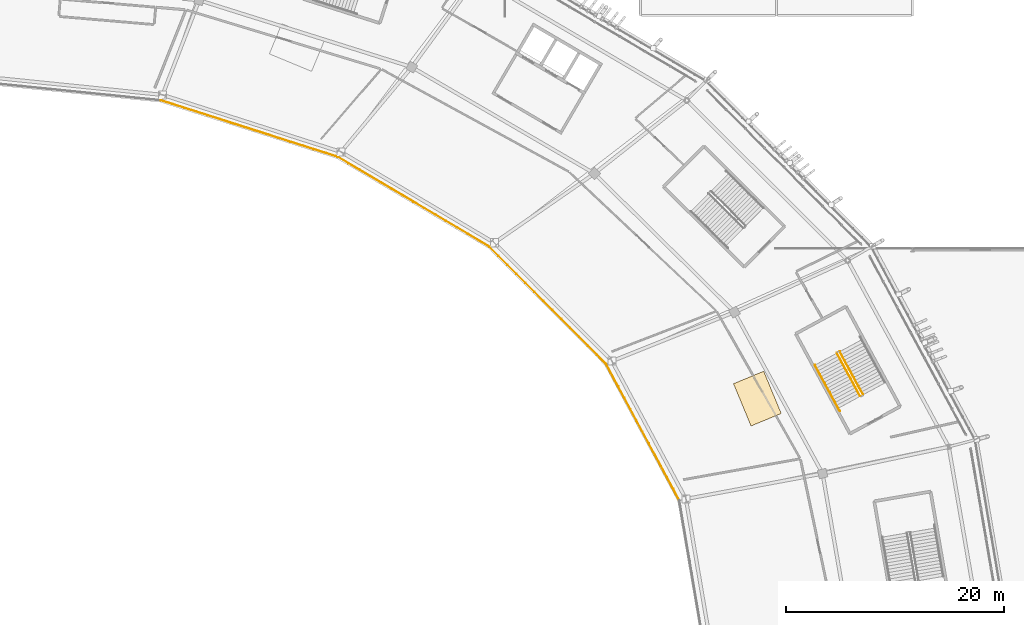
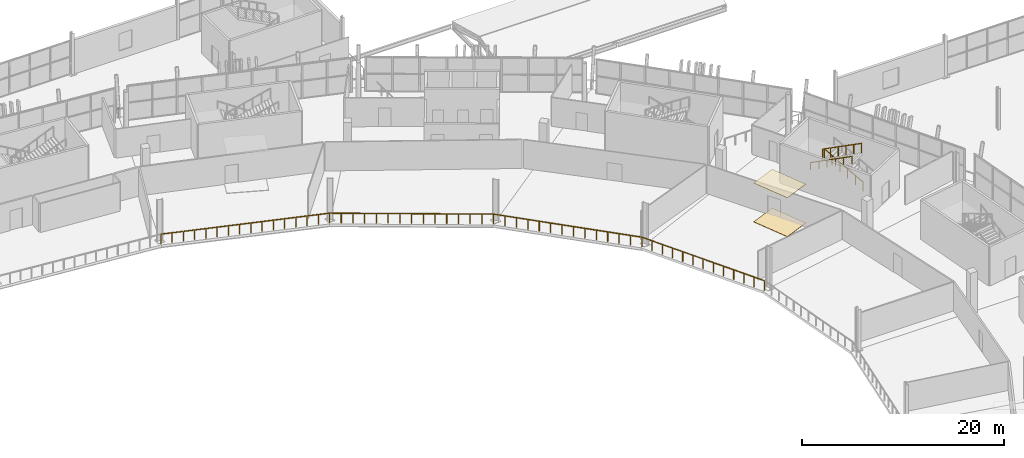
# One storey, part 166 of 179: 7 railings, 2 coverings.
"""IFC4 building model written with IfcOpenShell, lengths in metres."""

from ifc_helpers import new_model, si_unit, direction, frame, origin, origin_2d, place, context, subcontext, project, spatial, polyline, rectangle, outline, extrude, material, layer, layer_set, type_object, element, save


model = new_model("IFC4")

# Units and contexts
model_context = context("Model", 3, precision=1e-05, world=origin(), true_north=direction((0.0, 1.0)))
body_context = subcontext(model_context, "Body", "Model", "MODEL_VIEW")
ifc_project = project(units=[si_unit("LENGTHUNIT", "METRE"), si_unit("AREAUNIT", "SQUARE_METRE"), si_unit("VOLUMEUNIT", "CUBIC_METRE"), si_unit("PLANEANGLEUNIT", "RADIAN"), si_unit("MASSUNIT", "GRAM", prefix="KILO")], contexts=[model_context])

# Site, building, storey
site_placement = place(None, origin())
site = spatial("IfcSite", under=ifc_project, at=site_placement, CompositionType="ELEMENT")
building_placement = place(site_placement, origin())
building = spatial("IfcBuilding", under=site, at=building_placement, Name="Zlatoyarsky Gate Stadium", CompositionType="ELEMENT")
storey_placement = place(building_placement, frame((0.0, 0.0, 10.60009765625)))
storey = spatial("IfcBuildingStorey", under=building, at=storey_placement, Name="L02", CompositionType="ELEMENT", Elevation=10.60009765625)

# Railings
ifc_material_1 = material(Name="Powder-coated steel tubular guardrail", Category="steel")
railing_type_1 = type_object("IfcRailingType", Name="CONCOURSE SLAB EDGE GUARDRAIL 1200", PredefinedType="GUARDRAIL", material=ifc_material_1)
railing_1_placement = place(storey_placement, frame((176.083984375, 93.453369140625, 0.0)))
element("IfcRailing", 1, at=railing_1_placement, inside=storey, type_object=railing_type_1, Name="L02 inner bowl edge guardrail 01", PredefinedType="GUARDRAIL", context=body_context, shape_type="SweptSolid", body=[
    extrude(rectangle(XDim=0.048095703125, YDim=0.048095703125, at=origin_2d()), frame((0.0, 0.0, 1.17578125), z_axis=(-0.473048708203, 0.881036276023, 0.0), x_axis=(-0.881036276023, -0.473048708203, 0.0)), (0.0, 0.0, 1.0), 14.2294921875),
    extrude(rectangle(XDim=0.0419921875, YDim=0.0419921875, at=origin_2d()), origin(), (0.0, 0.0, 1.0), 1.15185546875),
    extrude(rectangle(XDim=0.0419921875, YDim=0.0419921875, at=origin_2d()), frame((-0.56103515625, 1.044677734375, 0.0)), (0.0, 0.0, 1.0), 1.15185546875),
    extrude(rectangle(XDim=0.0419921875, YDim=0.0419921875, at=origin_2d()), frame((-1.121826171875, 2.08935546875, 0.0)), (0.0, 0.0, 1.0), 1.15185546875),
    extrude(rectangle(XDim=0.0419921875, YDim=0.0419921875, at=origin_2d()), frame((-1.682861328125, 3.13427734375, 0.0)), (0.0, 0.0, 1.0), 1.15185546875),
    extrude(rectangle(XDim=0.0419921875, YDim=0.0419921875, at=origin_2d()), frame((-2.24365234375, 4.178955078125, 0.0)), (0.0, 0.0, 1.0), 1.15185546875),
    extrude(rectangle(XDim=0.0419921875, YDim=0.0419921875, at=origin_2d()), frame((-2.8046875, 5.2236328125, 0.0)), (0.0, 0.0, 1.0), 1.15185546875),
    extrude(rectangle(XDim=0.0419921875, YDim=0.0419921875, at=origin_2d()), frame((-3.36572265625, 6.268310546875, 0.0)), (0.0, 0.0, 1.0), 1.15185546875),
    extrude(rectangle(XDim=0.0419921875, YDim=0.0419921875, at=origin_2d()), frame((-3.926513671875, 7.31298828125, 0.0)), (0.0, 0.0, 1.0), 1.15185546875),
    extrude(rectangle(XDim=0.0419921875, YDim=0.0419921875, at=origin_2d()), frame((-4.487548828125, 8.357666015625, 0.0)), (0.0, 0.0, 1.0), 1.15185546875),
    extrude(rectangle(XDim=0.0419921875, YDim=0.0419921875, at=origin_2d()), frame((-5.04833984375, 9.40234375, 0.0)), (0.0, 0.0, 1.0), 1.15185546875),
    extrude(rectangle(XDim=0.0419921875, YDim=0.0419921875, at=origin_2d()), frame((-5.609375, 10.447265625, 0.0)), (0.0, 0.0, 1.0), 1.15185546875),
    extrude(rectangle(XDim=0.0419921875, YDim=0.0419921875, at=origin_2d()), frame((-6.170166015625, 11.491943359375, 0.0)), (0.0, 0.0, 1.0), 1.15185546875),
    extrude(rectangle(XDim=0.0419921875, YDim=0.0419921875, at=origin_2d()), frame((-6.731201171875, 12.53662109375, 0.0)), (0.0, 0.0, 1.0), 1.15185546875),
])
railing_2_placement = place(storey_placement, frame((169.352783203125, 105.989990234375, 0.0)))
element("IfcRailing", 2, at=railing_2_placement, inside=storey, type_object=railing_type_1, Name="L02 inner bowl edge guardrail 02", PredefinedType="GUARDRAIL", context=body_context, shape_type="SweptSolid", body=[
    extrude(rectangle(XDim=0.048095703125, YDim=0.048095703125, at=origin_2d()), frame((0.0, 0.0, 1.17578125), z_axis=(-0.705206918956, 0.709001552506, 0.0), x_axis=(-0.709001552506, -0.705206918956, 0.0)), (0.0, 0.0, 1.0), 15.183837890625),
    extrude(rectangle(XDim=0.0419921875, YDim=0.0419921875, at=origin_2d()), origin(), (0.0, 0.0, 1.0), 1.15185546875),
    extrude(rectangle(XDim=0.0419921875, YDim=0.0419921875, at=origin_2d()), frame((-0.82373046875, 0.828125, 0.0)), (0.0, 0.0, 1.0), 1.15185546875),
    extrude(rectangle(XDim=0.0419921875, YDim=0.0419921875, at=origin_2d()), frame((-1.6474609375, 1.65625, 0.0)), (0.0, 0.0, 1.0), 1.15185546875),
    extrude(rectangle(XDim=0.0419921875, YDim=0.0419921875, at=origin_2d()), frame((-2.470947265625, 2.484375, 0.0)), (0.0, 0.0, 1.0), 1.15185546875),
    extrude(rectangle(XDim=0.0419921875, YDim=0.0419921875, at=origin_2d()), frame((-3.294677734375, 3.3125, 0.0)), (0.0, 0.0, 1.0), 1.15185546875),
    extrude(rectangle(XDim=0.0419921875, YDim=0.0419921875, at=origin_2d()), frame((-4.118408203125, 4.140625, 0.0)), (0.0, 0.0, 1.0), 1.15185546875),
    extrude(rectangle(XDim=0.0419921875, YDim=0.0419921875, at=origin_2d()), frame((-4.942138671875, 4.96875, 0.0)), (0.0, 0.0, 1.0), 1.15185546875),
    extrude(rectangle(XDim=0.0419921875, YDim=0.0419921875, at=origin_2d()), frame((-5.765625, 5.796630859375, 0.0)), (0.0, 0.0, 1.0), 1.15185546875),
    extrude(rectangle(XDim=0.0419921875, YDim=0.0419921875, at=origin_2d()), frame((-6.58935546875, 6.624755859375, 0.0)), (0.0, 0.0, 1.0), 1.15185546875),
    extrude(rectangle(XDim=0.0419921875, YDim=0.0419921875, at=origin_2d()), frame((-7.4130859375, 7.452880859375, 0.0)), (0.0, 0.0, 1.0), 1.15185546875),
    extrude(rectangle(XDim=0.0419921875, YDim=0.0419921875, at=origin_2d()), frame((-8.23681640625, 8.281005859375, 0.0)), (0.0, 0.0, 1.0), 1.15185546875),
    extrude(rectangle(XDim=0.0419921875, YDim=0.0419921875, at=origin_2d()), frame((-9.060302734375, 9.109130859375, 0.0)), (0.0, 0.0, 1.0), 1.15185546875),
    extrude(rectangle(XDim=0.0419921875, YDim=0.0419921875, at=origin_2d()), frame((-9.884033203125, 9.937255859375, 0.0)), (0.0, 0.0, 1.0), 1.15185546875),
    extrude(rectangle(XDim=0.0419921875, YDim=0.0419921875, at=origin_2d()), frame((-10.707763671875, 10.765380859375, 0.0)), (0.0, 0.0, 1.0), 1.15185546875),
])
railing_3_placement = place(storey_placement, frame((158.64501953125, 116.75537109375, 0.0)))
element("IfcRailing", 3, at=railing_3_placement, inside=storey, type_object=railing_type_1, Name="L02 inner bowl edge guardrail 03", PredefinedType="GUARDRAIL", context=body_context, shape_type="SweptSolid", body=[
    extrude(rectangle(XDim=0.048095703125, YDim=0.048095703125, at=origin_2d()), frame((0.0, 0.0, 1.17578125), z_axis=(-0.860533047645, 0.509394615118, 0.0), x_axis=(-0.509394615118, -0.860533047645, 0.0)), (0.0, 0.0, 1.0), 16.216796875),
    extrude(rectangle(XDim=0.0419921875, YDim=0.0419921875, at=origin_2d()), origin(), (0.0, 0.0, 1.0), 1.15185546875),
    extrude(rectangle(XDim=0.0419921875, YDim=0.0419921875, at=origin_2d()), frame((-0.996826171875, 0.590087890625, 0.0)), (0.0, 0.0, 1.0), 1.15185546875),
    extrude(rectangle(XDim=0.0419921875, YDim=0.0419921875, at=origin_2d()), frame((-1.99365234375, 1.18017578125, 0.0)), (0.0, 0.0, 1.0), 1.15185546875),
    extrude(rectangle(XDim=0.0419921875, YDim=0.0419921875, at=origin_2d()), frame((-2.990478515625, 1.770263671875, 0.0)), (0.0, 0.0, 1.0), 1.15185546875),
    extrude(rectangle(XDim=0.0419921875, YDim=0.0419921875, at=origin_2d()), frame((-3.987060546875, 2.360107421875, 0.0)), (0.0, 0.0, 1.0), 1.15185546875),
    extrude(rectangle(XDim=0.0419921875, YDim=0.0419921875, at=origin_2d()), frame((-4.98388671875, 2.9501953125, 0.0)), (0.0, 0.0, 1.0), 1.15185546875),
    extrude(rectangle(XDim=0.0419921875, YDim=0.0419921875, at=origin_2d()), frame((-5.980712890625, 3.540283203125, 0.0)), (0.0, 0.0, 1.0), 1.15185546875),
    extrude(rectangle(XDim=0.0419921875, YDim=0.0419921875, at=origin_2d()), frame((-6.9775390625, 4.13037109375, 0.0)), (0.0, 0.0, 1.0), 1.15185546875),
    extrude(rectangle(XDim=0.0419921875, YDim=0.0419921875, at=origin_2d()), frame((-7.974365234375, 4.720458984375, 0.0)), (0.0, 0.0, 1.0), 1.15185546875),
    extrude(rectangle(XDim=0.0419921875, YDim=0.0419921875, at=origin_2d()), frame((-8.97119140625, 5.310546875, 0.0)), (0.0, 0.0, 1.0), 1.15185546875),
    extrude(rectangle(XDim=0.0419921875, YDim=0.0419921875, at=origin_2d()), frame((-9.968017578125, 5.900634765625, 0.0)), (0.0, 0.0, 1.0), 1.15185546875),
    extrude(rectangle(XDim=0.0419921875, YDim=0.0419921875, at=origin_2d()), frame((-10.964599609375, 6.490478515625, 0.0)), (0.0, 0.0, 1.0), 1.15185546875),
    extrude(rectangle(XDim=0.0419921875, YDim=0.0419921875, at=origin_2d()), frame((-11.96142578125, 7.08056640625, 0.0)), (0.0, 0.0, 1.0), 1.15185546875),
    extrude(rectangle(XDim=0.0419921875, YDim=0.0419921875, at=origin_2d()), frame((-12.958251953125, 7.670654296875, 0.0)), (0.0, 0.0, 1.0), 1.15185546875),
    extrude(rectangle(XDim=0.0419921875, YDim=0.0419921875, at=origin_2d()), frame((-13.955078125, 8.2607421875, 0.0)), (0.0, 0.0, 1.0), 1.15185546875),
])
railing_4_placement = place(storey_placement, frame((144.68994140625, 125.01611328125, 0.0)))
element("IfcRailing", 4, at=railing_4_placement, inside=storey, type_object=railing_type_1, Name="L02 inner bowl edge guardrail 04", PredefinedType="GUARDRAIL", context=body_context, shape_type="SweptSolid", body=[
    extrude(rectangle(XDim=0.048095703125, YDim=0.048095703125, at=origin_2d()), frame((0.0, 0.0, 1.17578125), z_axis=(-0.952553500174, 0.304371203149, 0.0), x_axis=(-0.304371203149, -0.952553500174, 0.0)), (0.0, 0.0, 1.0), 17.06005859375),
    extrude(rectangle(XDim=0.0419921875, YDim=0.0419921875, at=origin_2d()), origin(), (0.0, 0.0, 1.0), 1.15185546875),
    extrude(rectangle(XDim=0.0419921875, YDim=0.0419921875, at=origin_2d()), frame((-1.08349609375, 0.34619140625, 0.0)), (0.0, 0.0, 1.0), 1.15185546875),
    extrude(rectangle(XDim=0.0419921875, YDim=0.0419921875, at=origin_2d()), frame((-2.166748046875, 0.6923828125, 0.0)), (0.0, 0.0, 1.0), 1.15185546875),
    extrude(rectangle(XDim=0.0419921875, YDim=0.0419921875, at=origin_2d()), frame((-3.250244140625, 1.03857421875, 0.0)), (0.0, 0.0, 1.0), 1.15185546875),
    extrude(rectangle(XDim=0.0419921875, YDim=0.0419921875, at=origin_2d()), frame((-4.33349609375, 1.384765625, 0.0)), (0.0, 0.0, 1.0), 1.15185546875),
    extrude(rectangle(XDim=0.0419921875, YDim=0.0419921875, at=origin_2d()), frame((-5.4169921875, 1.73095703125, 0.0)), (0.0, 0.0, 1.0), 1.15185546875),
    extrude(rectangle(XDim=0.0419921875, YDim=0.0419921875, at=origin_2d()), frame((-6.500244140625, 2.0771484375, 0.0)), (0.0, 0.0, 1.0), 1.15185546875),
    extrude(rectangle(XDim=0.0419921875, YDim=0.0419921875, at=origin_2d()), frame((-7.583740234375, 2.42333984375, 0.0)), (0.0, 0.0, 1.0), 1.15185546875),
    extrude(rectangle(XDim=0.0419921875, YDim=0.0419921875, at=origin_2d()), frame((-8.6669921875, 2.769287109375, 0.0)), (0.0, 0.0, 1.0), 1.15185546875),
    extrude(rectangle(XDim=0.0419921875, YDim=0.0419921875, at=origin_2d()), frame((-9.75048828125, 3.115478515625, 0.0)), (0.0, 0.0, 1.0), 1.15185546875),
    extrude(rectangle(XDim=0.0419921875, YDim=0.0419921875, at=origin_2d()), frame((-10.833740234375, 3.461669921875, 0.0)), (0.0, 0.0, 1.0), 1.15185546875),
    extrude(rectangle(XDim=0.0419921875, YDim=0.0419921875, at=origin_2d()), frame((-11.917236328125, 3.807861328125, 0.0)), (0.0, 0.0, 1.0), 1.15185546875),
    extrude(rectangle(XDim=0.0419921875, YDim=0.0419921875, at=origin_2d()), frame((-13.00048828125, 4.154052734375, 0.0)), (0.0, 0.0, 1.0), 1.15185546875),
    extrude(rectangle(XDim=0.0419921875, YDim=0.0419921875, at=origin_2d()), frame((-14.083984375, 4.500244140625, 0.0)), (0.0, 0.0, 1.0), 1.15185546875),
    extrude(rectangle(XDim=0.0419921875, YDim=0.0419921875, at=origin_2d()), frame((-15.167236328125, 4.846435546875, 0.0)), (0.0, 0.0, 1.0), 1.15185546875),
    extrude(rectangle(XDim=0.0419921875, YDim=0.0419921875, at=origin_2d()), frame((-16.250732421875, 5.192626953125, 0.0)), (0.0, 0.0, 1.0), 1.15185546875),
])
ifc_material_2 = material(Name="Powder-coated steel stair guardrail", Category="steel")
railing_type_2 = type_object("IfcRailingType", Name="PAINTED STEEL STAIR WELL GUARDRAIL 1150", PredefinedType="GUARDRAIL", material=ifc_material_2)
railing_5_placement = place(storey_placement, frame((192.96484375, 103.16650390625, 0.15625)))
element("IfcRailing", 5, at=railing_5_placement, inside=storey, type_object=railing_type_2, Name="ST-13 L02 stair guard 1", PredefinedType="GUARDRAIL", context=body_context, shape_type="SweptSolid", body=[
    extrude(rectangle(XDim=0.048095703125, YDim=0.048095703125, at=origin_2d()), frame((0.0, 0.0, 1.1259765625), z_axis=(-0.422959741779, 0.779564365935, 0.461935554162), x_axis=(-0.878963249763, -0.476889510858, 0.0)), (0.0, 0.0, 1.0), 5.07373046875),
    extrude(rectangle(XDim=0.0419921875, YDim=0.0419921875, at=origin_2d()), origin(), (0.0, 0.0, 1.0), 1.101806640625),
    extrude(rectangle(XDim=0.0419921875, YDim=0.0419921875, at=origin_2d()), frame((-0.42919921875, 0.791015625, 0.46875)), (0.0, 0.0, 1.0), 1.101806640625),
    extrude(rectangle(XDim=0.0419921875, YDim=0.0419921875, at=origin_2d()), frame((-0.8583984375, 1.58203125, 0.9375)), (0.0, 0.0, 1.0), 1.101806640625),
    extrude(rectangle(XDim=0.0419921875, YDim=0.0419921875, at=origin_2d()), frame((-1.28759765625, 2.373291015625, 1.40625)), (0.0, 0.0, 1.0), 1.101806640625),
    extrude(rectangle(XDim=0.0419921875, YDim=0.0419921875, at=origin_2d()), frame((-1.716796875, 3.164306640625, 1.875)), (0.0, 0.0, 1.0), 1.101806640625),
    extrude(rectangle(XDim=0.0419921875, YDim=0.0419921875, at=origin_2d()), frame((-2.14599609375, 3.955322265625, 2.34375)), (0.0, 0.0, 1.0), 1.101806640625),
])
railing_6_placement = place(storey_placement, frame((190.55517578125, 106.978759765625, 2.65625)))
element("IfcRailing", 6, at=railing_6_placement, inside=storey, type_object=railing_type_2, Name="ST-13 L02 stair guard 3", PredefinedType="GUARDRAIL", context=body_context, shape_type="SweptSolid", body=[
    extrude(rectangle(XDim=0.048095703125, YDim=0.048095703125, at=origin_2d()), frame((0.0, 0.0, 1.1259765625), z_axis=(0.422959741779, -0.779564365935, 0.461935554162), x_axis=(0.878963249763, 0.476889510858, 0.0)), (0.0, 0.0, 1.0), 5.07373046875),
    extrude(rectangle(XDim=0.0419921875, YDim=0.0419921875, at=origin_2d()), origin(), (0.0, 0.0, 1.0), 1.101806640625),
    extrude(rectangle(XDim=0.0419921875, YDim=0.0419921875, at=origin_2d()), frame((0.42919921875, -0.791015625, 0.46875)), (0.0, 0.0, 1.0), 1.101806640625),
    extrude(rectangle(XDim=0.0419921875, YDim=0.0419921875, at=origin_2d()), frame((0.8583984375, -1.58203125, 0.9375)), (0.0, 0.0, 1.0), 1.101806640625),
    extrude(rectangle(XDim=0.0419921875, YDim=0.0419921875, at=origin_2d()), frame((1.28759765625, -2.373291015625, 1.40625)), (0.0, 0.0, 1.0), 1.101806640625),
    extrude(rectangle(XDim=0.0419921875, YDim=0.0419921875, at=origin_2d()), frame((1.716796875, -3.164306640625, 1.875)), (0.0, 0.0, 1.0), 1.101806640625),
    extrude(rectangle(XDim=0.0419921875, YDim=0.0419921875, at=origin_2d()), frame((2.14599609375, -3.955322265625, 2.34375)), (0.0, 0.0, 1.0), 1.101806640625),
])

# Coverings
ifc_material_3 = material(Name="Perforated anodised aluminium acoustic ceiling", Category="aluminium")
ifc_layer_1 = layer(ifc_material_3, 0.050048828125)
ifc_layer_set_1 = layer_set([ifc_layer_1], Name="Perforated anodised aluminium acoustic ceiling")
covering_type_1 = type_object("IfcCoveringType", Name="PERFORATED ACOUSTIC BAFFLE CEILING 50", PredefinedType="CEILING", material=ifc_layer_set_1)
covering_1_placement = place(storey_placement, frame((0.0, 0.0, 4.669921875)))
element("IfcCovering", 7, at=covering_1_placement, inside=storey, type_object=covering_type_1, Name="L02 hospitality acoustic ceiling 01", PredefinedType="CEILING", context=body_context, shape_type="SweptSolid", body=[
    extrude(outline(polyline([(182.664794921875, 100.293701171875), (181.0576171875, 104.174072265625), (183.8291015625, 105.322265625), (185.4365234375, 101.44189453125), (182.664794921875, 100.293701171875)])), origin(), (0.0, 0.0, 1.0), 0.050048828125),
])
ifc_material_4 = material(Name="Polished granite stone flooring", Category="masonry")
ifc_layer_2 = layer(ifc_material_4, 0.0400390625)
ifc_layer_set_2 = layer_set([ifc_layer_2], Name="Polished granite stone flooring")
covering_type_2 = type_object("IfcCoveringType", Name="POLISHED GRANITE CONCOURSE FLOORING 40", PredefinedType="FLOORING", material=ifc_layer_set_2)
covering_2_placement = place(storey_placement, origin())
element("IfcCovering", 8, at=covering_2_placement, inside=storey, type_object=covering_type_2, Name="L02 hospitality concourse granite flooring 01", PredefinedType="FLOORING", context=body_context, shape_type="SweptSolid", body=[
    extrude(outline(polyline([(182.664794921875, 100.293701171875), (181.0576171875, 104.174072265625), (183.8291015625, 105.322265625), (185.4365234375, 101.44189453125), (182.664794921875, 100.293701171875)])), origin(), (0.0, 0.0, 1.0), 0.039794921875),
])

# Railing
ifc_material_5 = material(Name="Brushed stainless steel 316 handrail", Category="steel")
railing_type_3 = type_object("IfcRailingType", Name="STAINLESS STEEL TUBULAR HANDRAIL 900", PredefinedType="HANDRAIL", material=ifc_material_5)
railing_7_placement = place(storey_placement, frame((188.533447265625, 105.882080078125, 2.66015625)))
element("IfcRailing", 9, at=railing_7_placement, inside=storey, type_object=railing_type_3, Name="ST-13 L02 stair handrail 2", PredefinedType="HANDRAIL", context=body_context, shape_type="SweptSolid", body=[
    extrude(rectangle(XDim=0.048095703125, YDim=0.048095703125, at=origin_2d()), frame((0.0, 0.0, 0.8759765625), z_axis=(0.422945859539, -0.779580881458, 0.46192039267), x_axis=(0.878974045326, 0.476869612833, 0.0)), (0.0, 0.0, 1.0), 5.412109375),
    extrude(rectangle(XDim=0.0419921875, YDim=0.0419921875, at=origin_2d()), origin(), (0.0, 0.0, 1.0), 0.851806640625),
    extrude(rectangle(XDim=0.0419921875, YDim=0.0419921875, at=origin_2d()), frame((0.457763671875, -0.84375, 0.5)), (0.0, 0.0, 1.0), 0.851806640625),
    extrude(rectangle(XDim=0.0419921875, YDim=0.0419921875, at=origin_2d()), frame((0.91552734375, -1.687744140625, 1.0)), (0.0, 0.0, 1.0), 0.851806640625),
    extrude(rectangle(XDim=0.0419921875, YDim=0.0419921875, at=origin_2d()), frame((1.37353515625, -2.531494140625, 1.5)), (0.0, 0.0, 1.0), 0.851806640625),
    extrude(rectangle(XDim=0.0419921875, YDim=0.0419921875, at=origin_2d()), frame((1.831298828125, -3.37548828125, 2.0)), (0.0, 0.0, 1.0), 0.851806640625),
    extrude(rectangle(XDim=0.0419921875, YDim=0.0419921875, at=origin_2d()), frame((2.2890625, -4.21923828125, 2.5)), (0.0, 0.0, 1.0), 0.851806640625),
])

save(model, "model.ifc")
